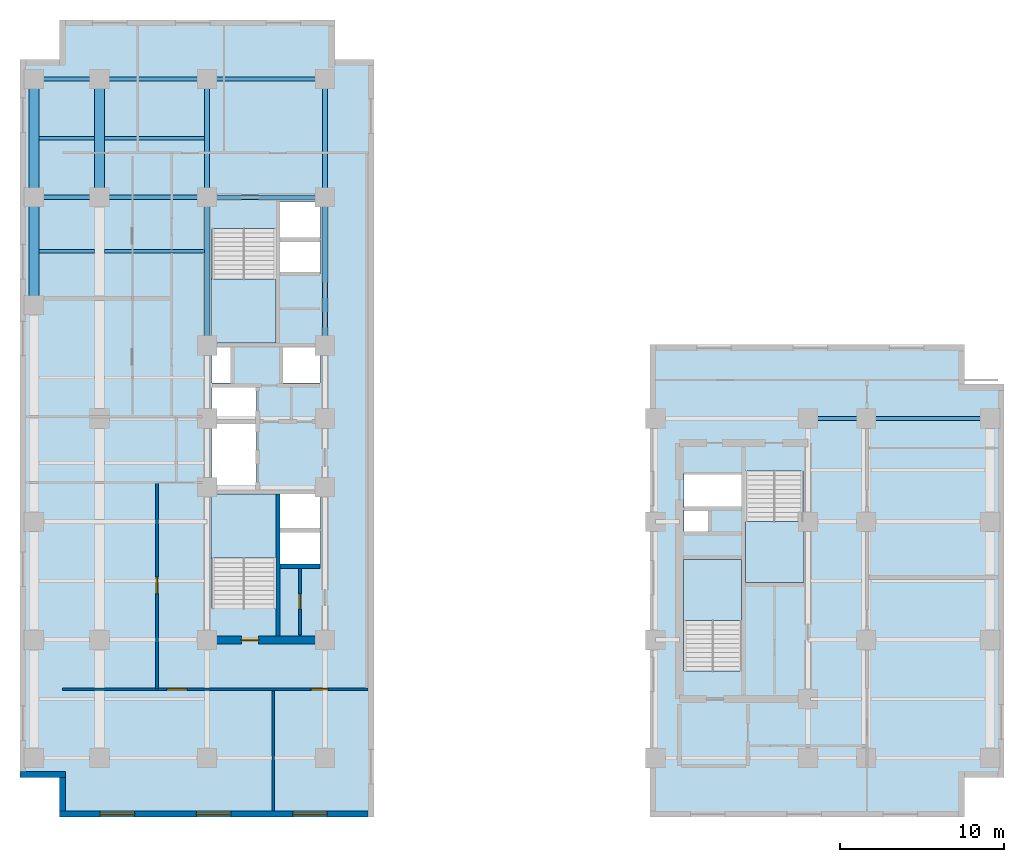
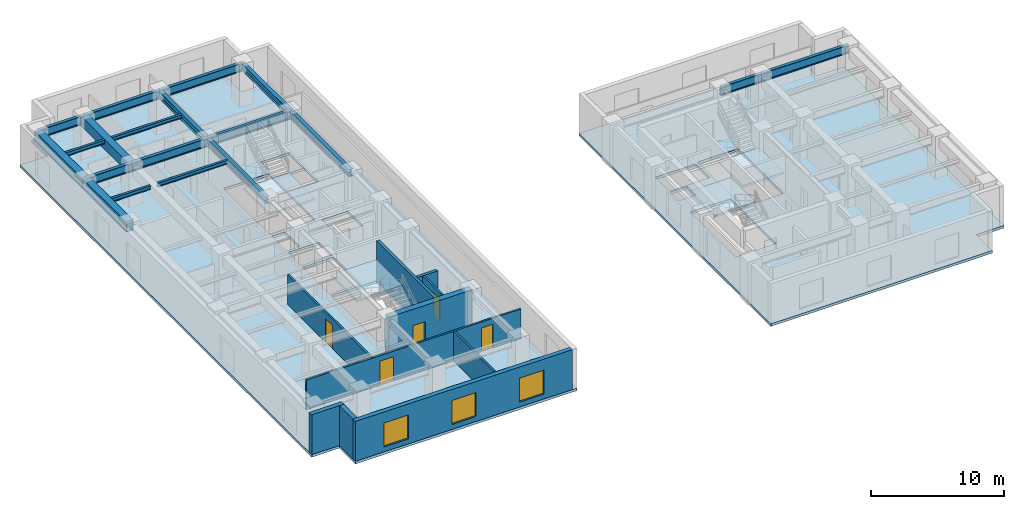
# One storey, part 2 of 9: 19 beams, 10 walls, 6 slabs, 5 doors, 3 windows, 8 openings, 4 elements without a shape of their own.
"""IFC4 building model written with IfcOpenShell, lengths in metres."""

from ifc_helpers import new_model, entity, si_unit, converted_unit, direction, frame, origin_with_axes, origin_2d_with_axis, place, context, subcontext, project, spatial, polyline, rectangle, i_section, outline, extrude, material, layer, layer_set, material_profile, profile_set, type_object, element, fill, aggregate, save


model = new_model("IFC4")

# Units and contexts
model_context = context("Model", 3, precision=1e-05, world=origin_with_axes(), true_north=direction((0.0, 1.0)))
body_context = subcontext(model_context, "Body", "Model", "MODEL_VIEW")
ifc_project = project(units=[si_unit("LENGTHUNIT", "METRE"), si_unit("AREAUNIT", "SQUARE_METRE"), si_unit("VOLUMEUNIT", "CUBIC_METRE"), converted_unit("PLANEANGLEUNIT", "DEGREE", entity("IfcPlaneAngleMeasure", 0.017453292519943295), si_unit("PLANEANGLEUNIT", "RADIAN"), dimensions=[0, 0, 0, 0, 0, 0, 0]), si_unit("MASSUNIT", "GRAM", prefix="KILO"), si_unit("THERMODYNAMICTEMPERATUREUNIT", "KELVIN")], contexts=[model_context])

# Site, building, storey
site_placement = place(None, origin_with_axes())
site = spatial("IfcSite", under=ifc_project, at=site_placement, CompositionType="ELEMENT")
building_placement = place(site_placement, origin_with_axes())
building = spatial("IfcBuilding", under=site, at=building_placement, Name="Varnlund Millrace Tower", CompositionType="ELEMENT")
storey_placement = place(building_placement, frame((0.0, 0.0, 108.6), z_axis=(0.0, 0.0, 1.0), x_axis=(1.0, 0.0, 0.0)))
storey = spatial("IfcBuildingStorey", under=building, at=storey_placement, Name="L26", CompositionType="ELEMENT", Elevation=108.6)

# Beams
ifc_material_1 = material(Name="Steel ASTM A992 Grade 50", Category="steel")
ifc_material_profile_1 = material_profile(ifc_material_1, i_section(OverallWidth=0.328, OverallDepth=0.628, WebThickness=0.0165, FlangeThickness=0.0277, FilletRadius=0.018, at=origin_2d_with_axis()), Name="Steel ASTM A992 Grade 50")
ifc_profile_set_1 = profile_set([ifc_material_profile_1], Name="Steel ASTM A992 Grade 50")
beam_type_1 = type_object("IfcBeamType", Name="Type-Girder-W24X146", PredefinedType="USERDEFINED", material=ifc_profile_set_1)
beam_1_placement = place(storey_placement, frame((11.4, 28.75, 3.346), z_axis=(0.0, 1.0, 0.0), x_axis=(-1.0, 0.0, 0.0)))
element("IfcBeam", 1, at=beam_1_placement, inside=storey, type_object=beam_type_1, Name="Type-Girder-W24X146", ObjectType="GIRDER", PredefinedType="USERDEFINED", context=body_context, shape_type="SweptSolid", body=[
    extrude(i_section(OverallWidth=0.328, OverallDepth=0.628, WebThickness=0.0165, FlangeThickness=0.0277, FilletRadius=0.018, at=origin_2d_with_axis()), origin_with_axes(), (0.0, 0.0, 1.0), 9.05),
])
beam_2_placement = place(storey_placement, frame((11.4, 37.8, 3.346), z_axis=(0.0, 1.0, 0.0), x_axis=(-1.0, 0.0, 0.0)))
element("IfcBeam", 2, at=beam_2_placement, inside=storey, type_object=beam_type_1, Name="Type-Girder-W24X146", ObjectType="GIRDER", PredefinedType="USERDEFINED", context=body_context, shape_type="SweptSolid", body=[
    extrude(i_section(OverallWidth=0.328, OverallDepth=0.628, WebThickness=0.0165, FlangeThickness=0.0277, FilletRadius=0.018, at=origin_2d_with_axis()), origin_with_axes(), (0.0, 0.0, 1.0), 7.2),
])
beam_3_placement = place(storey_placement, frame((18.6, 28.75, 3.346), z_axis=(0.0, 1.0, 0.0), x_axis=(-1.0, 0.0, 0.0)))
element("IfcBeam", 3, at=beam_3_placement, inside=storey, type_object=beam_type_1, Name="Type-Girder-W24X146", ObjectType="GIRDER", PredefinedType="USERDEFINED", context=body_context, shape_type="SweptSolid", body=[
    extrude(i_section(OverallWidth=0.328, OverallDepth=0.628, WebThickness=0.0165, FlangeThickness=0.0277, FilletRadius=0.018, at=origin_2d_with_axis()), origin_with_axes(), (0.0, 0.0, 1.0), 9.05),
])
beam_4_placement = place(storey_placement, frame((18.6, 37.8, 3.346), z_axis=(0.0, 1.0, 0.0), x_axis=(-1.0, 0.0, 0.0)))
element("IfcBeam", 4, at=beam_4_placement, inside=storey, type_object=beam_type_1, Name="Type-Girder-W24X146", ObjectType="GIRDER", PredefinedType="USERDEFINED", context=body_context, shape_type="SweptSolid", body=[
    extrude(i_section(OverallWidth=0.328, OverallDepth=0.628, WebThickness=0.0165, FlangeThickness=0.0277, FilletRadius=0.018, at=origin_2d_with_axis()), origin_with_axes(), (0.0, 0.0, 1.0), 7.2),
])
ifc_material_profile_2 = material_profile(ifc_material_1, i_section(OverallWidth=0.266, OverallDepth=0.779, WebThickness=0.0165, FlangeThickness=0.03, FilletRadius=0.02, at=origin_2d_with_axis()), Name="Steel ASTM A992 Grade 50")
ifc_profile_set_2 = profile_set([ifc_material_profile_2], Name="Steel ASTM A992 Grade 50")
beam_type_2 = type_object("IfcBeamType", Name="Type-Girder-W30X148", PredefinedType="USERDEFINED", material=ifc_profile_set_2)
beam_5_placement = place(storey_placement, frame((48.05, 24.3, 3.2705), z_axis=(1.0, 0.0, 0.0), x_axis=(0.0, 1.0, 0.0)))
element("IfcBeam", 5, at=beam_5_placement, inside=storey, type_object=beam_type_2, Name="Type-Girder-W30X148", ObjectType="GIRDER", PredefinedType="USERDEFINED", context=body_context, shape_type="SweptSolid", body=[
    extrude(i_section(OverallWidth=0.266, OverallDepth=0.779, WebThickness=0.0165, FlangeThickness=0.03, FilletRadius=0.02, at=origin_2d_with_axis()), origin_with_axes(), (0.0, 0.0, 1.0), 3.55),
])
beam_6_placement = place(storey_placement, frame((51.6, 24.3, 3.2705), z_axis=(1.0, 0.0, 0.0), x_axis=(0.0, 1.0, 0.0)))
element("IfcBeam", 6, at=beam_6_placement, inside=storey, type_object=beam_type_2, Name="Type-Girder-W30X148", ObjectType="GIRDER", PredefinedType="USERDEFINED", context=body_context, shape_type="SweptSolid", body=[
    extrude(i_section(OverallWidth=0.266, OverallDepth=0.779, WebThickness=0.0165, FlangeThickness=0.03, FilletRadius=0.02, at=origin_2d_with_axis()), origin_with_axes(), (0.0, 0.0, 1.0), 7.55),
])
beam_7_placement = place(storey_placement, frame((0.85, 37.8, 3.2705), z_axis=(1.0, 0.0, 0.0), x_axis=(0.0, 1.0, 0.0)))
element("IfcBeam", 7, at=beam_7_placement, inside=storey, type_object=beam_type_2, Name="Type-Girder-W30X148", ObjectType="GIRDER", PredefinedType="USERDEFINED", context=body_context, shape_type="SweptSolid", body=[
    extrude(i_section(OverallWidth=0.266, OverallDepth=0.779, WebThickness=0.0165, FlangeThickness=0.03, FilletRadius=0.02, at=origin_2d_with_axis()), origin_with_axes(), (0.0, 0.0, 1.0), 4.0),
])
beam_8_placement = place(storey_placement, frame((4.85, 37.8, 3.2705), z_axis=(1.0, 0.0, 0.0), x_axis=(0.0, 1.0, 0.0)))
element("IfcBeam", 8, at=beam_8_placement, inside=storey, type_object=beam_type_2, Name="Type-Girder-W30X148", ObjectType="GIRDER", PredefinedType="USERDEFINED", context=body_context, shape_type="SweptSolid", body=[
    extrude(i_section(OverallWidth=0.266, OverallDepth=0.779, WebThickness=0.0165, FlangeThickness=0.03, FilletRadius=0.02, at=origin_2d_with_axis()), origin_with_axes(), (0.0, 0.0, 1.0), 6.55),
])
beam_9_placement = place(storey_placement, frame((11.4, 37.8, 3.2705), z_axis=(1.0, 0.0, 0.0), x_axis=(0.0, 1.0, 0.0)))
element("IfcBeam", 9, at=beam_9_placement, inside=storey, type_object=beam_type_2, Name="Type-Girder-W30X148", ObjectType="GIRDER", PredefinedType="USERDEFINED", context=body_context, shape_type="SweptSolid", body=[
    extrude(i_section(OverallWidth=0.266, OverallDepth=0.779, WebThickness=0.0165, FlangeThickness=0.03, FilletRadius=0.02, at=origin_2d_with_axis()), origin_with_axes(), (0.0, 0.0, 1.0), 7.2),
])
beam_10_placement = place(storey_placement, frame((0.85, 45.0, 3.2705), z_axis=(1.0, 0.0, 0.0), x_axis=(0.0, 1.0, 0.0)))
element("IfcBeam", 10, at=beam_10_placement, inside=storey, type_object=beam_type_2, Name="Type-Girder-W30X148", ObjectType="GIRDER", PredefinedType="USERDEFINED", context=body_context, shape_type="SweptSolid", body=[
    extrude(i_section(OverallWidth=0.266, OverallDepth=0.779, WebThickness=0.0165, FlangeThickness=0.03, FilletRadius=0.02, at=origin_2d_with_axis()), origin_with_axes(), (0.0, 0.0, 1.0), 4.0),
])
beam_11_placement = place(storey_placement, frame((4.85, 45.0, 3.2705), z_axis=(1.0, 0.0, 0.0), x_axis=(0.0, 1.0, 0.0)))
element("IfcBeam", 11, at=beam_11_placement, inside=storey, type_object=beam_type_2, Name="Type-Girder-W30X148", ObjectType="GIRDER", PredefinedType="USERDEFINED", context=body_context, shape_type="SweptSolid", body=[
    extrude(i_section(OverallWidth=0.266, OverallDepth=0.779, WebThickness=0.0165, FlangeThickness=0.03, FilletRadius=0.02, at=origin_2d_with_axis()), origin_with_axes(), (0.0, 0.0, 1.0), 6.55),
])
beam_12_placement = place(storey_placement, frame((11.4, 45.0, 3.2705), z_axis=(1.0, 0.0, 0.0), x_axis=(0.0, 1.0, 0.0)))
element("IfcBeam", 12, at=beam_12_placement, inside=storey, type_object=beam_type_2, Name="Type-Girder-W30X148", ObjectType="GIRDER", PredefinedType="USERDEFINED", context=body_context, shape_type="SweptSolid", body=[
    extrude(i_section(OverallWidth=0.266, OverallDepth=0.779, WebThickness=0.0165, FlangeThickness=0.03, FilletRadius=0.02, at=origin_2d_with_axis()), origin_with_axes(), (0.0, 0.0, 1.0), 7.2),
])
ifc_material_profile_3 = material_profile(ifc_material_1, i_section(OverallWidth=0.204, OverallDepth=0.35, WebThickness=0.0086, FlangeThickness=0.0151, FilletRadius=0.013, at=origin_2d_with_axis()), Name="Steel ASTM A992 Grade 50")
ifc_profile_set_3 = profile_set([ifc_material_profile_3], Name="Steel ASTM A992 Grade 50")
beam_type_3 = type_object("IfcBeamType", Name="Type-Joist-W14X48", PredefinedType="JOIST", material=ifc_profile_set_3)
for number, where, z_axis, x_axis, name in (
    (13, (1.15, 34.5, 3.485), (1.0, 0.0, 0.0), (0.0, 1.0, 0.0), "Type-Joist-W14X48"),
    (14, (1.15, 41.4, 3.485), (1.0, 0.0, 0.0), (0.0, 1.0, 0.0), "Type-Joist-W14X48"),
):
    element("IfcBeam", number, at=place(storey_placement, frame(where, z_axis=z_axis, x_axis=x_axis)), inside=storey, type_object=beam_type_3, Name=name, PredefinedType="JOIST", context=body_context, shape_type="SweptSolid", body=[
        extrude(i_section(OverallWidth=0.204, OverallDepth=0.35, WebThickness=0.0086, FlangeThickness=0.0151, FilletRadius=0.013, at=origin_2d_with_axis()), origin_with_axes(), (0.0, 0.0, 1.0), 3.4),
    ])
for number, where, z_axis, x_axis, name in (
    (15, (5.15, 34.5, 3.485), (1.0, 0.0, 0.0), (0.0, 1.0, 0.0), "Type-Joist-W14X48"),
    (16, (5.15, 41.4, 3.485), (1.0, 0.0, 0.0), (0.0, 1.0, 0.0), "Type-Joist-W14X48"),
):
    element("IfcBeam", number, at=place(storey_placement, frame(where, z_axis=z_axis, x_axis=x_axis)), inside=storey, type_object=beam_type_3, Name=name, PredefinedType="JOIST", context=body_context, shape_type="SweptSolid", body=[
        extrude(i_section(OverallWidth=0.204, OverallDepth=0.35, WebThickness=0.0086, FlangeThickness=0.0151, FilletRadius=0.013, at=origin_2d_with_axis()), origin_with_axes(), (0.0, 0.0, 1.0), 6.086),
    ])
ifc_material_2 = material(Name="Concrete C70/85", Category="concrete")
ifc_material_profile_4 = material_profile(ifc_material_2, rectangle(XDim=0.6, YDim=0.9, at=origin_2d_with_axis()), Name="Concrete C70/85")
ifc_profile_set_4 = profile_set([ifc_material_profile_4], Name="Concrete C70/85")
beam_type_4 = type_object("IfcBeamType", Name="Type-Spandrel-RC600X900", PredefinedType="SPANDREL", material=ifc_profile_set_4)
beam_13_placement = place(storey_placement, frame((0.85, 31.2, 3.21), z_axis=(0.0, 1.0, 0.0), x_axis=(-1.0, 0.0, 0.0)))
element("IfcBeam", 17, at=beam_13_placement, inside=storey, type_object=beam_type_4, Name="Type-Spandrel-RC600X900", PredefinedType="SPANDREL", context=body_context, shape_type="SweptSolid", body=[
    extrude(rectangle(XDim=0.6, YDim=0.9, at=origin_2d_with_axis()), origin_with_axes(), (0.0, 0.0, 1.0), 6.6),
])
for number, where, z_axis, x_axis, name in (
    (18, (0.85, 37.8, 3.21), (0.0, 1.0, 0.0), (-1.0, 0.0, 0.0), "Type-Spandrel-RC600X900"),
    (19, (4.85, 37.8, 3.21), (0.0, 1.0, 0.0), (-1.0, 0.0, 0.0), "Type-Spandrel-RC600X900"),
):
    element("IfcBeam", number, at=place(storey_placement, frame(where, z_axis=z_axis, x_axis=x_axis)), inside=storey, type_object=beam_type_4, Name=name, PredefinedType="SPANDREL", context=body_context, shape_type="SweptSolid", body=[
        extrude(rectangle(XDim=0.6, YDim=0.9, at=origin_2d_with_axis()), origin_with_axes(), (0.0, 0.0, 1.0), 7.2),
    ])

# Slabs
ifc_material_3 = material(Name="Concrete C60/75", Category="concrete")
ifc_layer_1 = layer(ifc_material_3, 0.24, Name="Concrete C60/75")
ifc_layer_set_1 = layer_set([ifc_layer_1], Name="Concrete C60/75")
slab_type_1 = type_object("IfcSlabType", Name="Type-Deck-Plate-Typical-240", PredefinedType="FLOOR", material=ifc_layer_set_1)
slab_1_placement = place(storey_placement, frame((0.0, 0.0, -0.24), z_axis=(0.0, 0.0, 1.0), x_axis=(1.0, 0.0, 0.0)))
element("IfcSlab", 20, at=slab_1_placement, inside=storey, type_object=slab_type_1, Name="Type-Deck-Plate-Typical-240", PredefinedType="FLOOR", context=body_context, shape_type="SweptSolid", body=[
    extrude(outline(polyline([(2.4, 2.4), (2.4, 0.0), (21.6, 0.0), (21.6, 46.2), (19.2, 46.2), (19.2, 48.6), (2.4, 48.6), (2.4, 46.2), (0.0, 46.2), (0.0, 2.4), (2.4, 2.4)]), holes=[polyline([(15.6, 19.7), (15.6, 12.715), (11.7, 12.715), (11.7, 19.7), (15.6, 19.7)]), polyline([(11.7, 23.98), (14.38, 23.98), (14.38, 19.94), (11.7, 19.94), (11.7, 23.98)]), polyline([(14.38, 24.24), (11.7, 24.24), (11.7, 26.2), (14.38, 26.2), (14.38, 24.24)]), polyline([(12.84, 26.46), (11.7, 26.46), (11.7, 28.65), (12.84, 28.65), (12.84, 26.46)]), polyline([(15.6, 35.885), (15.6, 28.9), (11.7, 28.9), (11.7, 35.885), (15.6, 35.885)]), polyline([(18.3, 15.34), (15.84, 15.34), (15.84, 17.46), (18.3, 17.46), (18.3, 15.34)]), polyline([(18.3, 17.52), (15.84, 17.52), (15.84, 19.7), (18.3, 19.7), (18.3, 17.52)]), polyline([(18.3, 28.65), (18.3, 26.46), (16.04, 26.46), (16.04, 28.65), (18.3, 28.65)]), polyline([(18.3, 33.12), (15.84, 33.12), (15.84, 35.18), (18.3, 35.18), (18.3, 33.12)]), polyline([(18.3, 35.22), (15.84, 35.22), (15.84, 37.5), (18.3, 37.5), (18.3, 35.22)])]), origin_with_axes(), (0.0, 0.0, 1.0), 0.24),
])
slab_2_placement = place(storey_placement, frame((0.0, 0.0, -0.24), z_axis=(0.0, 0.0, 1.0), x_axis=(1.0, 0.0, 0.0)))
element("IfcSlab", 21, at=slab_2_placement, inside=storey, type_object=slab_type_1, Name="Type-Deck-Plate-Typical-240", PredefinedType="FLOOR", context=body_context, shape_type="SweptSolid", body=[
    extrude(outline(polyline([(38.4, 0.0), (57.6, 0.0), (57.6, 2.4), (60.0, 2.4), (60.0, 26.4), (57.6, 26.4), (57.6, 28.8), (38.4, 28.8), (38.4, 0.0)]), holes=[polyline([(40.5, 15.7), (44.0, 15.7), (44.0, 8.915), (40.5, 8.915), (40.5, 15.7)]), polyline([(44.25, 21.085), (47.75, 21.085), (47.75, 14.3), (44.25, 14.3), (44.25, 21.085)]), polyline([(40.5, 18.72), (41.95, 18.72), (41.95, 17.42), (40.5, 17.42), (40.5, 18.72)]), polyline([(40.5, 20.94), (44.0, 20.94), (44.0, 18.88), (40.5, 18.88), (40.5, 20.94)])]), origin_with_axes(), (0.0, 0.0, 1.0), 0.24),
])

# Stair, slab
ifc_material_4 = material(Name="Concrete C50/60", Category="concrete")
stair_type_1 = type_object("IfcStairType", Name="Type-Stair-Dogleg-185-390", PredefinedType="HALF_TURN_STAIR", material=ifc_material_4)
stair_1_placement = place(storey_placement, origin_with_axes())
stair_1 = element("IfcStair", 22, at=stair_1_placement, inside=storey, type_object=stair_type_1, Name="Type-Stair-Dogleg-185-390", PredefinedType="HALF_TURN_STAIR")
ifc_layer_2 = layer(ifc_material_4, 0.2, Name="Concrete C50/60")
ifc_layer_set_2 = layer_set([ifc_layer_2], Name="Concrete C50/60")
slab_type_2 = type_object("IfcSlabType", Name="Type-StairLanding-200", PredefinedType="LANDING", material=ifc_layer_set_2)
slab_3_placement = place(storey_placement, frame((0.0, 0.0, 1.75), z_axis=(0.0, 0.0, 1.0), x_axis=(1.0, 0.0, 0.0)))
slab_3 = element("IfcSlab", 23, at=slab_3_placement, type_object=slab_type_2, Name="ST-A1 landing 1", PredefinedType="LANDING", context=body_context, shape_type="SweptSolid", body=[
    extrude(outline(polyline([(15.6, 15.78), (15.6, 19.7), (11.65, 19.7), (11.65, 15.78), (15.6, 15.78)])), origin_with_axes(), (0.0, 0.0, 1.0), 0.2),
])
aggregate(stair_1, [slab_3])

stair_2_placement = place(storey_placement, origin_with_axes())
stair_2 = element("IfcStair", 24, at=stair_2_placement, inside=storey, type_object=stair_type_1, Name="Type-Stair-Dogleg-185-390", PredefinedType="HALF_TURN_STAIR")
slab_4_placement = place(storey_placement, frame((0.0, 0.0, 1.75), z_axis=(0.0, 0.0, 1.0), x_axis=(1.0, 0.0, 0.0)))
slab_4 = element("IfcSlab", 25, at=slab_4_placement, type_object=slab_type_2, Name="ST-A2 landing 1", PredefinedType="LANDING", context=body_context, shape_type="SweptSolid", body=[
    extrude(outline(polyline([(11.65, 32.82), (11.65, 28.9), (15.6, 28.9), (15.6, 32.82), (11.65, 32.82)])), origin_with_axes(), (0.0, 0.0, 1.0), 0.2),
])
aggregate(stair_2, [slab_4])

stair_type_2 = type_object("IfcStairType", Name="Type-Stair-Dogleg-165-390", PredefinedType="HALF_TURN_STAIR", material=ifc_material_4)
stair_3_placement = place(storey_placement, origin_with_axes())
stair_3 = element("IfcStair", 26, at=stair_3_placement, inside=storey, type_object=stair_type_2, Name="Type-Stair-Dogleg-165-390", PredefinedType="HALF_TURN_STAIR")
slab_5_placement = place(storey_placement, frame((0.0, 0.0, 1.75), z_axis=(0.0, 0.0, 1.0), x_axis=(1.0, 0.0, 0.0)))
slab_5 = element("IfcSlab", 27, at=slab_5_placement, type_object=slab_type_2, Name="ST-B1 landing 1", PredefinedType="LANDING", context=body_context, shape_type="SweptSolid", body=[
    extrude(outline(polyline([(44.0, 11.98), (44.0, 15.7), (40.45, 15.7), (40.45, 11.98), (44.0, 11.98)])), origin_with_axes(), (0.0, 0.0, 1.0), 0.2),
])
aggregate(stair_3, [slab_5])

stair_4_placement = place(storey_placement, origin_with_axes())
stair_4 = element("IfcStair", 28, at=stair_4_placement, inside=storey, type_object=stair_type_2, Name="Type-Stair-Dogleg-165-390", PredefinedType="HALF_TURN_STAIR")
slab_6_placement = place(storey_placement, frame((0.0, 0.0, 1.75), z_axis=(0.0, 0.0, 1.0), x_axis=(1.0, 0.0, 0.0)))
slab_6 = element("IfcSlab", 29, at=slab_6_placement, type_object=slab_type_2, Name="ST-B2 landing 1", PredefinedType="LANDING", context=body_context, shape_type="SweptSolid", body=[
    extrude(outline(polyline([(44.25, 18.02), (44.25, 14.3), (47.8, 14.3), (47.8, 18.02), (44.25, 18.02)])), origin_with_axes(), (0.0, 0.0, 1.0), 0.2),
])
aggregate(stair_4, [slab_6])

# Wall, opening, door
ifc_layer_3 = layer(ifc_material_2, 0.5, Name="Concrete C70/85")
ifc_layer_set_3 = layer_set([ifc_layer_3], Name="Concrete C70/85")
wall_type_1 = type_object("IfcWallType", Name="Type-CoreWall-Shear-500-C70", PredefinedType="SHEAR", material=ifc_layer_set_3)
wall_1_placement = place(storey_placement, frame((11.4, 10.8, 0.0), z_axis=(0.0, 0.0, 1.0), x_axis=(1.0, 0.0, 0.0)))
wall_1 = element("IfcWall", 30, at=wall_1_placement, inside=storey, type_object=wall_type_1, Name="Type-CoreWall-Shear-500-C70", PredefinedType="SHEAR", context=body_context, shape_type="SweptSolid", body=[
    extrude(outline(polyline([(0.0, -0.25), (7.2, -0.25), (7.2, 0.25), (0.0, 0.25), (0.0, -0.25)])), origin_with_axes(), (0.0, 0.0, 1.0), 3.66),
])
opening_1_placement = place(wall_1_placement, frame((2.625, 0.0, 0.0), z_axis=(0.0, 0.0, 1.0), x_axis=(1.0, 0.0, 0.0)))
opening_1 = element("IfcOpeningElement", 31, at=opening_1_placement, cuts=wall_1, Name="Opening L26:DR-STA1", PredefinedType="OPENING", context=body_context, shape_type="SweptSolid", body=[
    extrude(rectangle(XDim=1.05, YDim=0.52, at=origin_2d_with_axis()), origin_with_axes(), (0.0, 0.0, 1.0), 2.15),
])
ifc_material_5 = material(Name="Fire-rated hollow steel door", Category="steel")
door_type_1 = type_object("IfcDoorType", Name="Type-FireDoor-Stair-1050X2150", OperationType="NOTDEFINED", PredefinedType="DOOR", material=ifc_material_5)
door_1_placement = place(wall_1_placement, frame((2.625, 0.0, 0.0), z_axis=(0.0, 0.0, 1.0), x_axis=(1.0, 0.0, 0.0)))
door_1 = element("IfcDoor", 32, at=door_1_placement, inside=storey, type_object=door_type_1, Name="Type-FireDoor-Stair-1050X2150", OperationType="SINGLE_SWING_LEFT", OverallHeight=2.15, OverallWidth=1.05, PredefinedType="DOOR", context=body_context, shape_type="SweptSolid", body=[
    extrude(rectangle(XDim=1.05, YDim=0.09, at=origin_2d_with_axis()), origin_with_axes(), (0.0, 0.0, 1.0), 2.15),
])
fill(opening_1, door_1)

# Wall, openings, windows
ifc_material_6 = material(Name="Precast concrete C50/60", Category="concrete")
ifc_layer_4 = layer(ifc_material_6, 0.38, Name="Precast concrete C50/60")
ifc_layer_set_4 = layer_set([ifc_layer_4], Name="Precast concrete C50/60")
wall_type_2 = type_object("IfcWallType", Name="Type-ExtWall-Precast-Tube-380", PredefinedType="SOLIDWALL", material=ifc_layer_set_4)
wall_2_placement = place(storey_placement, frame((21.22, 0.19, 0.0), z_axis=(0.0, 0.0, 1.0), x_axis=(-1.0, 0.0, 0.0)))
wall_2 = element("IfcWall", 33, at=wall_2_placement, inside=storey, type_object=wall_type_2, Name="Type-ExtWall-Precast-Tube-380", PredefinedType="SOLIDWALL", context=body_context, shape_type="SweptSolid", body=[
    extrude(outline(polyline([(0.0, -0.19), (18.82, -0.19), (18.82, 0.19), (0.0, 0.19), (0.0, -0.19)])), origin_with_axes(), (0.0, 0.0, 1.0), 3.66),
])
opening_2_placement = place(wall_2_placement, frame((3.537, 0.0, 0.45), z_axis=(0.0, 0.0, 1.0), x_axis=(1.0, 0.0, 0.0)))
opening_2 = element("IfcOpeningElement", 34, at=opening_2_placement, cuts=wall_2, Name="Opening L26:WN-11", PredefinedType="OPENING", context=body_context, shape_type="SweptSolid", body=[
    extrude(rectangle(XDim=2.1, YDim=0.4, at=origin_2d_with_axis()), origin_with_axes(), (0.0, 0.0, 1.0), 2.2),
])
opening_3_placement = place(wall_2_placement, frame((9.41, 0.0, 0.45), z_axis=(0.0, 0.0, 1.0), x_axis=(1.0, 0.0, 0.0)))
opening_3 = element("IfcOpeningElement", 35, at=opening_3_placement, cuts=wall_2, Name="Opening L26:WN-12", PredefinedType="OPENING", context=body_context, shape_type="SweptSolid", body=[
    extrude(rectangle(XDim=2.1, YDim=0.4, at=origin_2d_with_axis()), origin_with_axes(), (0.0, 0.0, 1.0), 2.2),
])
opening_4_placement = place(wall_2_placement, frame((15.283, 0.0, 0.45), z_axis=(0.0, 0.0, 1.0), x_axis=(1.0, 0.0, 0.0)))
opening_4 = element("IfcOpeningElement", 36, at=opening_4_placement, cuts=wall_2, Name="Opening L26:WN-13", PredefinedType="OPENING", context=body_context, shape_type="SweptSolid", body=[
    extrude(rectangle(XDim=2.1, YDim=0.4, at=origin_2d_with_axis()), origin_with_axes(), (0.0, 0.0, 1.0), 2.2),
])
ifc_material_7 = material(Name="Argon low-e triple glazing in thermally broken bronze frame", Category="glass")
window_type = type_object("IfcWindowType", Name="Type-Window-Punched-2100X2200", PartitioningType="SINGLE_PANEL", PredefinedType="WINDOW", material=ifc_material_7)
window_1_placement = place(wall_2_placement, frame((3.537, 0.0, 0.45), z_axis=(0.0, 0.0, 1.0), x_axis=(1.0, 0.0, 0.0)))
window_1 = element("IfcWindow", 37, at=window_1_placement, inside=storey, type_object=window_type, Name="Type-Window-Punched-2100X2200", OverallHeight=2.2, OverallWidth=2.1, PredefinedType="WINDOW", context=body_context, shape_type="SweptSolid", body=[
    extrude(rectangle(XDim=2.1, YDim=0.09, at=origin_2d_with_axis()), origin_with_axes(), (0.0, 0.0, 1.0), 2.2),
])
fill(opening_2, window_1)
window_2_placement = place(wall_2_placement, frame((9.41, 0.0, 0.45), z_axis=(0.0, 0.0, 1.0), x_axis=(1.0, 0.0, 0.0)))
window_2 = element("IfcWindow", 38, at=window_2_placement, inside=storey, type_object=window_type, Name="Type-Window-Punched-2100X2200", OverallHeight=2.2, OverallWidth=2.1, PredefinedType="WINDOW", context=body_context, shape_type="SweptSolid", body=[
    extrude(rectangle(XDim=2.1, YDim=0.09, at=origin_2d_with_axis()), origin_with_axes(), (0.0, 0.0, 1.0), 2.2),
])
fill(opening_3, window_2)
window_3_placement = place(wall_2_placement, frame((15.283, 0.0, 0.45), z_axis=(0.0, 0.0, 1.0), x_axis=(1.0, 0.0, 0.0)))
window_3 = element("IfcWindow", 39, at=window_3_placement, inside=storey, type_object=window_type, Name="Type-Window-Punched-2100X2200", OverallHeight=2.2, OverallWidth=2.1, PredefinedType="WINDOW", context=body_context, shape_type="SweptSolid", body=[
    extrude(rectangle(XDim=2.1, YDim=0.09, at=origin_2d_with_axis()), origin_with_axes(), (0.0, 0.0, 1.0), 2.2),
])
fill(opening_4, window_3)

# Walls
wall_3_placement = place(storey_placement, frame((2.59, 0.38, 0.0), z_axis=(0.0, 0.0, 1.0), x_axis=(0.0, 1.0, 0.0)))
element("IfcWall", 40, at=wall_3_placement, inside=storey, type_object=wall_type_2, Name="Type-ExtWall-Precast-Tube-380", PredefinedType="SOLIDWALL", context=body_context, shape_type="SweptSolid", body=[
    extrude(outline(polyline([(0.0, -0.19), (2.02, -0.19), (2.02, 0.19), (0.0, 0.19), (0.0, -0.19)])), origin_with_axes(), (0.0, 0.0, 1.0), 3.66),
])
wall_4_placement = place(storey_placement, frame((2.78, 2.59, 0.0), z_axis=(0.0, 0.0, 1.0), x_axis=(-1.0, 0.0, 0.0)))
element("IfcWall", 41, at=wall_4_placement, inside=storey, type_object=wall_type_2, Name="Type-ExtWall-Precast-Tube-380", PredefinedType="SOLIDWALL", context=body_context, shape_type="SweptSolid", body=[
    extrude(outline(polyline([(0.0, -0.19), (2.78, -0.19), (2.78, 0.19), (0.0, 0.19), (0.0, -0.19)])), origin_with_axes(), (0.0, 0.0, 1.0), 3.66),
])

# Wall, opening, door
ifc_material_8 = material(Name="Fire-rated gypsum board on cold-formed steel framing", Category="steel")
ifc_layer_5 = layer(ifc_material_8, 0.16, Name="Fire-rated gypsum board on cold-formed steel framing")
ifc_layer_set_5 = layer_set([ifc_layer_5], Name="Fire-rated gypsum board on cold-formed steel framing")
wall_type_3 = type_object("IfcWallType", Name="Type-Partition-Corridor-160", PredefinedType="PARTITIONING", material=ifc_layer_set_5)
wall_5_placement = place(storey_placement, frame((17.07, 11.1, 0.0), z_axis=(0.0, 0.0, 1.0), x_axis=(0.0, 1.0, 0.0)))
wall_5 = element("IfcWall", 42, at=wall_5_placement, inside=storey, type_object=wall_type_3, Name="Type-Partition-Corridor-160", PredefinedType="PARTITIONING", context=body_context, shape_type="SweptSolid", body=[
    extrude(outline(polyline([(0.0, -0.08), (4.1, -0.08), (4.1, 0.08), (0.0, 0.08), (0.0, -0.08)])), origin_with_axes(), (0.0, 0.0, 1.0), 2.7),
])
opening_5_placement = place(wall_5_placement, frame((2.05, 0.0, 0.0), z_axis=(0.0, 0.0, 1.0), x_axis=(1.0, 0.0, 0.0)))
opening_5 = element("IfcOpeningElement", 43, at=opening_5_placement, cuts=wall_5, Name="Opening L26:DR-RECL-L1", PredefinedType="OPENING", context=body_context, shape_type="SweptSolid", body=[
    extrude(rectangle(XDim=0.9, YDim=0.18, at=origin_2d_with_axis()), origin_with_axes(), (0.0, 0.0, 1.0), 2.15),
])
ifc_material_9 = material(Name="Painted steel riser and closet door", Category="steel")
door_type_2 = type_object("IfcDoorType", Name="Type-IntDoor-Closet-900X2150", OperationType="NOTDEFINED", PredefinedType="DOOR", material=ifc_material_9)
door_2_placement = place(wall_5_placement, frame((2.05, 0.0, 0.0), z_axis=(0.0, 0.0, 1.0), x_axis=(1.0, 0.0, 0.0)))
door_2 = element("IfcDoor", 44, at=door_2_placement, inside=storey, type_object=door_type_2, Name="Type-IntDoor-Closet-900X2150", OperationType="SINGLE_SWING_LEFT", OverallHeight=2.15, OverallWidth=0.9, PredefinedType="DOOR", context=body_context, shape_type="SweptSolid", body=[
    extrude(rectangle(XDim=0.9, YDim=0.09, at=origin_2d_with_axis()), origin_with_axes(), (0.0, 0.0, 1.0), 2.15),
])
fill(opening_5, door_2)

# Wall, openings, doors
wall_6_placement = place(storey_placement, frame((2.6, 7.8, 0.0), z_axis=(0.0, 0.0, 1.0), x_axis=(1.0, 0.0, 0.0)))
wall_6 = element("IfcWall", 45, at=wall_6_placement, inside=storey, type_object=wall_type_3, Name="Type-Partition-Corridor-160", PredefinedType="PARTITIONING", context=body_context, shape_type="SweptSolid", body=[
    extrude(outline(polyline([(0.0, -0.08), (18.625, -0.08), (18.625, 0.08), (0.0, 0.08), (0.0, -0.08)])), origin_with_axes(), (0.0, 0.0, 1.0), 2.7),
])
opening_6_placement = place(wall_6_placement, frame((6.975, 0.0, 0.0), z_axis=(0.0, 0.0, 1.0), x_axis=(1.0, 0.0, 0.0)))
opening_6 = element("IfcOpeningElement", 46, at=opening_6_placement, cuts=wall_6, Name="Opening L26:DR-WAS-01", PredefinedType="OPENING", context=body_context, shape_type="SweptSolid", body=[
    extrude(rectangle(XDim=1.2, YDim=0.18, at=origin_2d_with_axis()), origin_with_axes(), (0.0, 0.0, 1.0), 2.2),
])
opening_7_placement = place(wall_6_placement, frame((15.6695, 0.0, 0.0), z_axis=(0.0, 0.0, 1.0), x_axis=(1.0, 0.0, 0.0)))
opening_7 = element("IfcOpeningElement", 47, at=opening_7_placement, cuts=wall_6, Name="Opening L26:DR-WAS-02", PredefinedType="OPENING", context=body_context, shape_type="SweptSolid", body=[
    extrude(rectangle(XDim=1.0, YDim=0.18, at=origin_2d_with_axis()), origin_with_axes(), (0.0, 0.0, 1.0), 2.15),
])
ifc_material_10 = material(Name="Wide executive white oak acoustic door")
door_type_3 = type_object("IfcDoorType", Name="Type-IntDoor-Exec-1200X2200", OperationType="NOTDEFINED", PredefinedType="DOOR", material=ifc_material_10)
door_3_placement = place(wall_6_placement, frame((6.975, 0.0, 0.0), z_axis=(0.0, 0.0, 1.0), x_axis=(1.0, 0.0, 0.0)))
door_3 = element("IfcDoor", 48, at=door_3_placement, inside=storey, type_object=door_type_3, Name="Type-IntDoor-Exec-1200X2200", OperationType="SINGLE_SWING_LEFT", OverallHeight=2.2, OverallWidth=1.2, PredefinedType="DOOR", context=body_context, shape_type="SweptSolid", body=[
    extrude(rectangle(XDim=1.2, YDim=0.09, at=origin_2d_with_axis()), origin_with_axes(), (0.0, 0.0, 1.0), 2.2),
])
fill(opening_6, door_3)
ifc_material_11 = material(Name="Solid-core white oak and bronze frame door")
door_type_4 = type_object("IfcDoorType", Name="Type-IntDoor-Office-1000X2150", OperationType="NOTDEFINED", PredefinedType="DOOR", material=ifc_material_11)
door_4_placement = place(wall_6_placement, frame((15.6695, 0.0, 0.0), z_axis=(0.0, 0.0, 1.0), x_axis=(1.0, 0.0, 0.0)))
door_4 = element("IfcDoor", 49, at=door_4_placement, inside=storey, type_object=door_type_4, Name="Type-IntDoor-Office-1000X2150", OperationType="SINGLE_SWING_RIGHT", OverallHeight=2.15, OverallWidth=1.0, PredefinedType="DOOR", context=body_context, shape_type="SweptSolid", body=[
    extrude(rectangle(XDim=1.0, YDim=0.09, at=origin_2d_with_axis()), origin_with_axes(), (0.0, 0.0, 1.0), 2.15),
])
fill(opening_7, door_4)

# Wall, opening, door
wall_7_placement = place(storey_placement, frame((8.35, 7.8, 0.0), z_axis=(0.0, 0.0, 1.0), x_axis=(0.0, 1.0, 0.0)))
wall_7 = element("IfcWall", 50, at=wall_7_placement, inside=storey, type_object=wall_type_3, Name="Type-Partition-Corridor-160", PredefinedType="PARTITIONING", context=body_context, shape_type="SweptSolid", body=[
    extrude(outline(polyline([(0.0, -0.08), (12.6, -0.08), (12.6, 0.08), (0.0, 0.08), (0.0, -0.08)])), origin_with_axes(), (0.0, 0.0, 1.0), 2.7),
])
opening_8_placement = place(wall_7_placement, frame((6.325, 0.0, 0.0), z_axis=(0.0, 0.0, 1.0), x_axis=(1.0, 0.0, 0.0)))
opening_8 = element("IfcOpeningElement", 51, at=opening_8_placement, cuts=wall_7, Name="Opening L26:DR-WS-01", PredefinedType="OPENING", context=body_context, shape_type="SweptSolid", body=[
    extrude(rectangle(XDim=1.0, YDim=0.18, at=origin_2d_with_axis()), origin_with_axes(), (0.0, 0.0, 1.0), 2.15),
])
door_5_placement = place(wall_7_placement, frame((6.325, 0.0, 0.0), z_axis=(0.0, 0.0, 1.0), x_axis=(1.0, 0.0, 0.0)))
door_5 = element("IfcDoor", 52, at=door_5_placement, inside=storey, type_object=door_type_4, Name="Type-IntDoor-Office-1000X2150", OperationType="SINGLE_SWING_LEFT", OverallHeight=2.15, OverallWidth=1.0, PredefinedType="DOOR", context=body_context, shape_type="SweptSolid", body=[
    extrude(rectangle(XDim=1.0, YDim=0.09, at=origin_2d_with_axis()), origin_with_axes(), (0.0, 0.0, 1.0), 2.15),
])
fill(opening_8, door_5)

# Walls
ifc_material_12 = material(Name="Acoustic STC-50 gypsum board partition", Category="gypsum")
ifc_layer_6 = layer(ifc_material_12, 0.15, Name="Acoustic STC-50 gypsum board partition")
ifc_layer_set_6 = layer_set([ifc_layer_6], Name="Acoustic STC-50 gypsum board partition")
wall_type_4 = type_object("IfcWallType", Name="Type-Partition-Demising-150", PredefinedType="PARTITIONING", material=ifc_layer_set_6)
wall_8_placement = place(storey_placement, frame((15.439, 0.36, 0.0), z_axis=(0.0, 0.0, 1.0), x_axis=(0.0, 1.0, 0.0)))
element("IfcWall", 53, at=wall_8_placement, inside=storey, type_object=wall_type_4, Name="Type-Partition-Demising-150", PredefinedType="PARTITIONING", context=body_context, shape_type="SweptSolid", body=[
    extrude(outline(polyline([(0.0, -0.075), (7.34, -0.075), (7.34, 0.075), (0.0, 0.075), (0.0, -0.075)])), origin_with_axes(), (0.0, 0.0, 1.0), 2.7),
])
ifc_layer_7 = layer(ifc_material_3, 0.25, Name="Concrete C60/75")
ifc_layer_set_7 = layer_set([ifc_layer_7], Name="Concrete C60/75")
wall_type_5 = type_object("IfcWallType", Name="Type-ShaftWall-Fire-250", PredefinedType="SOLIDWALL", material=ifc_layer_set_7)
wall_9_placement = place(storey_placement, frame((15.84, 15.29, 0.0), z_axis=(0.0, 0.0, 1.0), x_axis=(1.0, 0.0, 0.0)))
element("IfcWall", 54, at=wall_9_placement, inside=storey, type_object=wall_type_5, Name="Type-ShaftWall-Fire-250", PredefinedType="SOLIDWALL", context=body_context, shape_type="SweptSolid", body=[
    extrude(outline(polyline([(0.0, -0.125), (2.46, -0.125), (2.46, 0.125), (0.0, 0.125), (0.0, -0.125)])), origin_with_axes(), (0.0, 0.0, 1.0), 2.7),
])
wall_type_6 = type_object("IfcWallType", Name="Type-StairWall-Shear-250", PredefinedType="SHEAR", material=ifc_layer_set_7)
wall_10_placement = place(storey_placement, frame((15.725, 11.05, 0.0), z_axis=(0.0, 0.0, 1.0), x_axis=(0.0, 1.0, 0.0)))
element("IfcWall", 55, at=wall_10_placement, inside=storey, type_object=wall_type_6, Name="Type-StairWall-Shear-250", PredefinedType="SHEAR", context=body_context, shape_type="SweptSolid", body=[
    extrude(outline(polyline([(0.0, -0.125), (8.65, -0.125), (8.65, 0.125), (0.0, 0.125), (0.0, -0.125)])), origin_with_axes(), (0.0, 0.0, 1.0), 3.66),
])

save(model, "model.ifc")
